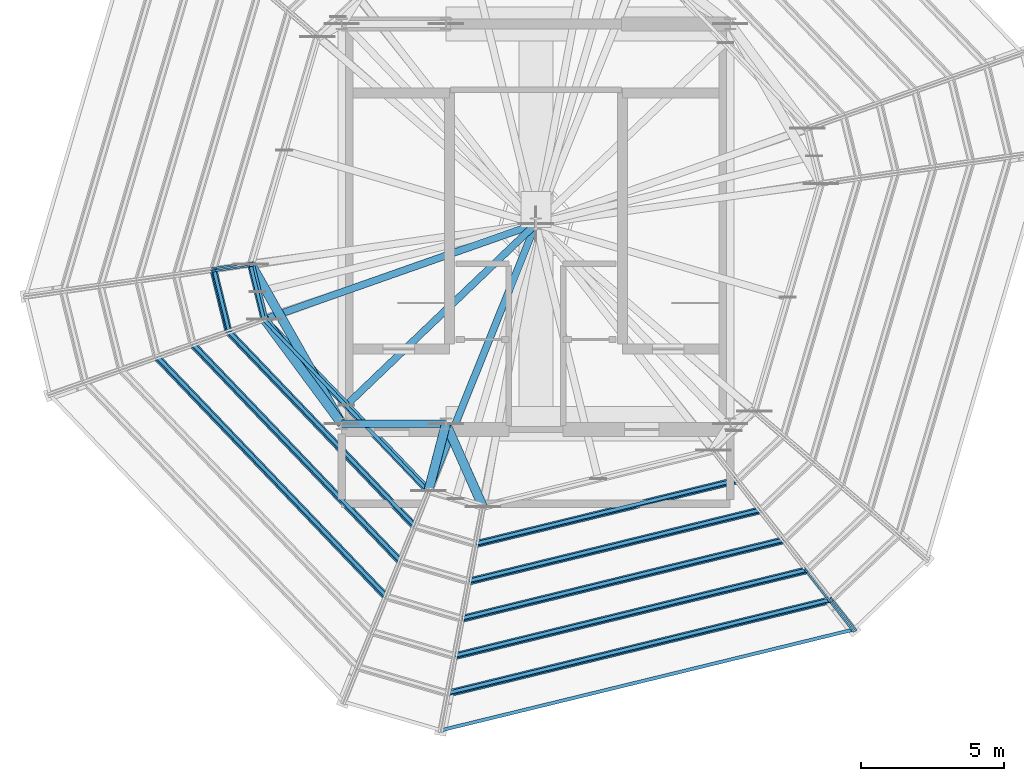
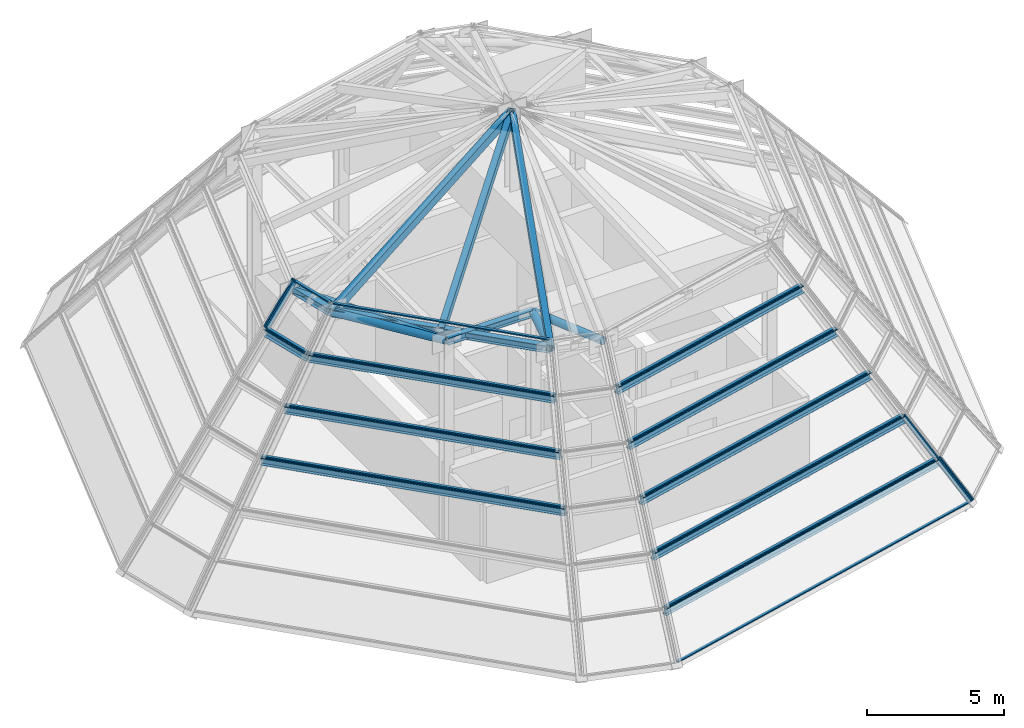
# One storey, part 3 of 13: 33 members, 12 beams, 14 elements without a shape of their own.
"""IFC4 building model written with IfcOpenShell, lengths in metres."""

from ifc_helpers import new_model, si_unit, direction, frame, origin, origin_2d, place, context, subcontext, project, spatial, hollow_rectangle, hollow_circle, i_section, extrude, source, transform, mapped, material, layer, layer_set, material_profile, profile_set, type_object, element, aggregate, save


model = new_model("IFC4")

# Units and contexts
model_context = context("Model", 3, precision=1e-05, world=origin(), true_north=direction((0.0, 1.0)))
body_context = subcontext(model_context, "Body", "Model", "MODEL_VIEW")
ifc_project = project(units=[si_unit("LENGTHUNIT", "METRE"), si_unit("AREAUNIT", "SQUARE_METRE"), si_unit("VOLUMEUNIT", "CUBIC_METRE"), si_unit("PLANEANGLEUNIT", "RADIAN"), si_unit("MASSUNIT", "GRAM", prefix="KILO")], contexts=[model_context])

# Site, building, storey
site_placement = place(None, origin())
site = spatial("IfcSite", under=ifc_project, at=site_placement, CompositionType="ELEMENT")
building_placement = place(site_placement, origin())
building = spatial("IfcBuilding", under=site, at=building_placement, Name="Veraguas Prism Commons", CompositionType="ELEMENT")
storey_placement = place(building_placement, frame((0.0, 0.0, 268.89990234375)))
storey = spatial("IfcBuildingStorey", under=building, at=storey_placement, Name="RF", CompositionType="ELEMENT", Elevation=268.89990234375)

# Members
ifc_material_1 = material(Name="Steel ASTM A500 Grade C", Category="steel")
ifc_material_profile_1 = material_profile(ifc_material_1, hollow_circle(Radius=0.162109375, WallThickness=0.01611328125, at=origin_2d()), Name="CHS324X16")
ifc_profile_set_1 = profile_set([ifc_material_profile_1], Name="Steel ASTM A500 Grade C")
member_type_1 = type_object("IfcMemberType", Name="Crown Apex Collar Strut CHS 324x16", PredefinedType="STRUT", material=ifc_profile_set_1)
member_1_placement = place(storey_placement, frame((14.024169921875, 22.58740234375, 9.067138671875), z_axis=(0.49414123824, -0.869381640403, 0.0), x_axis=(0.869381640403, 0.49414123824, 0.0)))
element("IfcMember", 1, at=member_1_placement, inside=storey, type_object=member_type_1, Name="Crown Apex Collar Strut 07", PredefinedType="STRUT", context=body_context, shape_type="SweptSolid", body=[
    extrude(hollow_circle(Radius=0.162109375, WallThickness=0.01611328125, at=origin_2d()), origin(), (0.0, 0.0, 1.0), 6.4267578125),
])
member_2_placement = place(storey_placement, frame((14.49560546875, 20.656494140625, 9.067138671875), z_axis=(0.59463555579, -0.803995370503, 0.0), x_axis=(0.803995370503, 0.59463555579, 0.0)))
element("IfcMember", 2, at=member_2_placement, inside=storey, type_object=member_type_1, Name="Crown Apex Collar Strut 08", PredefinedType="STRUT", context=body_context, shape_type="SweptSolid", body=[
    extrude(hollow_circle(Radius=0.162109375, WallThickness=0.01611328125, at=origin_2d()), origin(), (0.0, 0.0, 1.0), 4.5478515625),
])
member_3_placement = place(storey_placement, frame((20.2353515625, 14.654296875, 9.067138671875), z_axis=(0.253511930719, 0.967332259869, 0.0), x_axis=(-0.967332259869, 0.253511930719, 0.0)))
element("IfcMember", 3, at=member_3_placement, inside=storey, type_object=member_type_1, Name="Crown Apex Collar Strut 09", PredefinedType="STRUT", context=body_context, shape_type="SweptSolid", body=[
    extrude(hollow_circle(Radius=0.162109375, WallThickness=0.01611328125, at=origin_2d()), origin(), (0.0, 0.0, 1.0), 2.4248046875),
])
member_4_placement = place(storey_placement, frame((22.143310546875, 14.09716796875, 9.067138671875), z_axis=(-0.406943786249, 0.913453203417, 0.0), x_axis=(-0.913453203417, -0.406943786249, 0.0)))
element("IfcMember", 4, at=member_4_placement, inside=storey, type_object=member_type_1, Name="Crown Apex Collar Strut 10", PredefinedType="STRUT", context=body_context, shape_type="SweptSolid", body=[
    extrude(hollow_circle(Radius=0.162109375, WallThickness=0.01611328125, at=origin_2d()), origin(), (0.0, 0.0, 1.0), 3.177978515625),
])

# Beams
ifc_material_2 = material(Name="Steel ASTM A992 Grade 50", Category="steel")
ifc_material_profile_2 = material_profile(ifc_material_2, i_section(OverallWidth=0.25390625, OverallDepth=0.305908203125, WebThickness=0.0087890625, FlangeThickness=0.0146484375, at=origin_2d()), Name="W310X79")
ifc_profile_set_2 = profile_set([ifc_material_profile_2], Name="Steel ASTM A992 Grade 50")
beam_type = type_object("IfcBeamType", Name="Crown Ring Spandrel W310x79", PredefinedType="SPANDREL", material=ifc_profile_set_2)
beam_1_placement = place(storey_placement, frame((17.199951171875, 17.0, 9.067138671875), z_axis=(1.0, 0.0, 0.0), x_axis=(0.0, 1.0, 0.0)))
element("IfcBeam", 5, at=beam_1_placement, inside=storey, type_object=beam_type, Name="Crown Apex Ring Beam 1", PredefinedType="SPANDREL", context=body_context, shape_type="SweptSolid", body=[
    extrude(i_section(OverallWidth=0.25390625, OverallDepth=0.305908203125, WebThickness=0.0087890625, FlangeThickness=0.0146484375, at=origin_2d()), origin(), (0.0, 0.0, 1.0), 3.650146484375),
])
beam_2_placement = place(storey_placement, frame((12.70654296875, 22.40087890625, 7.763916015625), z_axis=(0.2371959725, -0.971461821499, 0.0), x_axis=(0.971461821499, 0.2371959725, 0.0)))
element("IfcBeam", 6, at=beam_2_placement, inside=storey, type_object=beam_type, Name="Crown Facet Ring Beam T5-V07", PredefinedType="SPANDREL", context=body_context, shape_type="SweptSolid", body=[
    extrude(i_section(OverallWidth=0.25390625, OverallDepth=0.305908203125, WebThickness=0.0087890625, FlangeThickness=0.0146484375, at=origin_2d()), origin(), (0.0, 0.0, 1.0), 2.25),
])
beam_3_placement = place(storey_placement, frame((14.024169921875, 22.58740234375, 9.067138671875), z_axis=(0.237185213056, -0.971464448504, 0.0), x_axis=(0.971464448504, 0.237185213056, 0.0)))
element("IfcBeam", 7, at=beam_3_placement, inside=storey, type_object=beam_type, Name="Crown Facet Ring Beam T6-V07", PredefinedType="SPANDREL", context=body_context, shape_type="SweptSolid", body=[
    extrude(i_section(OverallWidth=0.25390625, OverallDepth=0.305908203125, WebThickness=0.0087890625, FlangeThickness=0.0146484375, at=origin_2d()), origin(), (0.0, 0.0, 1.0), 1.987548828125),
])
beam_4_placement = place(storey_placement, frame((10.7294921875, 19.331787109375, 4.59716796875), z_axis=(0.691150459217, -0.72271089844, 0.0), x_axis=(0.72271089844, 0.691150459217, 0.0)))
element("IfcBeam", 8, at=beam_4_placement, inside=storey, type_object=beam_type, Name="Crown Facet Ring Beam T3-V08", PredefinedType="SPANDREL", context=body_context, shape_type="SweptSolid", body=[
    extrude(i_section(OverallWidth=0.25390625, OverallDepth=0.305908203125, WebThickness=0.0087890625, FlangeThickness=0.0146484375, at=origin_2d()), origin(), (0.0, 0.0, 1.0), 11.595703125),
])
beam_5_placement = place(storey_placement, frame((11.98486328125, 19.7734375, 6.180419921875), z_axis=(0.691140803875, -0.722720132015, 0.0), x_axis=(0.722720132015, 0.691140803875, 0.0)))
element("IfcBeam", 9, at=beam_5_placement, inside=storey, type_object=beam_type, Name="Crown Facet Ring Beam T4-V08", PredefinedType="SPANDREL", context=body_context, shape_type="SweptSolid", body=[
    extrude(i_section(OverallWidth=0.25390625, OverallDepth=0.305908203125, WebThickness=0.0087890625, FlangeThickness=0.0146484375, at=origin_2d()), origin(), (0.0, 0.0, 1.0), 10.498779296875),
])
beam_6_placement = place(storey_placement, frame((13.240234375, 20.215087890625, 7.763916015625), z_axis=(0.69112948824, -0.722730953042, 0.0), x_axis=(0.722730953042, 0.69112948824, 0.0)))
element("IfcBeam", 10, at=beam_6_placement, inside=storey, type_object=beam_type, Name="Crown Facet Ring Beam T5-V08", PredefinedType="SPANDREL", context=body_context, shape_type="SweptSolid", body=[
    extrude(i_section(OverallWidth=0.25390625, OverallDepth=0.305908203125, WebThickness=0.0087890625, FlangeThickness=0.0146484375, at=origin_2d()), origin(), (0.0, 0.0, 1.0), 9.402099609375),
])
beam_7_placement = place(storey_placement, frame((14.49560546875, 20.656494140625, 9.067138671875), z_axis=(0.691129195841, -0.722731232656, 0.0), x_axis=(0.722731232656, 0.691129195841, 0.0)))
element("IfcBeam", 11, at=beam_7_placement, inside=storey, type_object=beam_type, Name="Crown Facet Ring Beam T6-V08", PredefinedType="SPANDREL", context=body_context, shape_type="SweptSolid", body=[
    extrude(i_section(OverallWidth=0.25390625, OverallDepth=0.305908203125, WebThickness=0.0087890625, FlangeThickness=0.0146484375, at=origin_2d()), origin(), (0.0, 0.0, 1.0), 8.304931640625),
])
beam_8_placement = place(storey_placement, frame((20.9169921875, 7.5576171875, 1.430419921875), z_axis=(0.971467030569, 0.23717463717, 0.0), x_axis=(-0.23717463717, 0.971467030569, 0.0)))
element("IfcBeam", 12, at=beam_8_placement, inside=storey, type_object=beam_type, Name="Crown Facet Ring Beam T1-V10", PredefinedType="SPANDREL", context=body_context, shape_type="SweptSolid", body=[
    extrude(i_section(OverallWidth=0.25390625, OverallDepth=0.305908203125, WebThickness=0.0087890625, FlangeThickness=0.0146484375, at=origin_2d()), origin(), (0.0, 0.0, 1.0), 13.78955078125),
])
beam_9_placement = place(storey_placement, frame((21.162353515625, 8.865478515625, 3.013916015625), z_axis=(0.971464042785, 0.237186874796, 0.0), x_axis=(-0.237186874796, 0.971464042785, 0.0)))
element("IfcBeam", 13, at=beam_9_placement, inside=storey, type_object=beam_type, Name="Crown Facet Ring Beam T2-V10", PredefinedType="SPANDREL", context=body_context, shape_type="SweptSolid", body=[
    extrude(i_section(OverallWidth=0.25390625, OverallDepth=0.305908203125, WebThickness=0.0087890625, FlangeThickness=0.0146484375, at=origin_2d()), origin(), (0.0, 0.0, 1.0), 12.692626953125),
])
beam_10_placement = place(storey_placement, frame((21.407470703125, 10.17333984375, 4.59716796875), z_axis=(0.971466525392, 0.237176706368, 0.0), x_axis=(-0.237176706368, 0.971466525392, 0.0)))
element("IfcBeam", 14, at=beam_10_placement, inside=storey, type_object=beam_type, Name="Crown Facet Ring Beam T3-V10", PredefinedType="SPANDREL", context=body_context, shape_type="SweptSolid", body=[
    extrude(i_section(OverallWidth=0.25390625, OverallDepth=0.305908203125, WebThickness=0.0087890625, FlangeThickness=0.0146484375, at=origin_2d()), origin(), (0.0, 0.0, 1.0), 11.595703125),
])
beam_11_placement = place(storey_placement, frame((21.65283203125, 11.481201171875, 6.180419921875), z_axis=(0.971462860485, 0.237191717181, 0.0), x_axis=(-0.237191717181, 0.971462860485, 0.0)))
element("IfcBeam", 15, at=beam_11_placement, inside=storey, type_object=beam_type, Name="Crown Facet Ring Beam T4-V10", PredefinedType="SPANDREL", context=body_context, shape_type="SweptSolid", body=[
    extrude(i_section(OverallWidth=0.25390625, OverallDepth=0.305908203125, WebThickness=0.0087890625, FlangeThickness=0.0146484375, at=origin_2d()), origin(), (0.0, 0.0, 1.0), 10.498779296875),
])
beam_12_placement = place(storey_placement, frame((21.89794921875, 12.789306640625, 7.763916015625), z_axis=(0.971464323678, 0.237185724318, 0.0), x_axis=(-0.237185724318, 0.971464323678, 0.0)))
element("IfcBeam", 16, at=beam_12_placement, inside=storey, type_object=beam_type, Name="Crown Facet Ring Beam T5-V10", PredefinedType="SPANDREL", context=body_context, shape_type="SweptSolid", body=[
    extrude(i_section(OverallWidth=0.25390625, OverallDepth=0.305908203125, WebThickness=0.0087890625, FlangeThickness=0.0146484375, at=origin_2d()), origin(), (0.0, 0.0, 1.0), 9.40185546875),
])

# Members
ifc_material_profile_3 = material_profile(ifc_material_1, hollow_rectangle(XDim=0.25, YDim=0.35009765625, WallThickness=0.01611328125, at=origin_2d()), Name="HSS350X250X16")
ifc_profile_set_3 = profile_set([ifc_material_profile_3], Name="Steel ASTM A500 Grade C")
member_type_2 = type_object("IfcMemberType", Name="Glass Point Crown Rib HSS 350x250x16", PredefinedType="RAFTER", material=ifc_profile_set_3)
member_5_placement = place(storey_placement, frame((14.49560546875, 20.656494140625, 9.067138671875), z_axis=(0.888802847543, 0.312667736889, 0.335064746739), x_axis=(-0.33185030924, 0.943332058322, 0.0)))
element("IfcMember", 17, at=member_5_placement, inside=storey, type_object=member_type_2, Name="Crown Pyramidal Hip Rafter 08", PredefinedType="RAFTER", context=body_context, shape_type="SweptSolid", body=[
    extrude(hollow_rectangle(XDim=0.25, YDim=0.35009765625, WallThickness=0.01611328125, at=origin_2d()), origin(), (0.0, 0.0, 1.0), 10.693359375),
])
member_6_placement = place(storey_placement, frame((17.365478515625, 17.655517578125, 9.067138671875), z_axis=(0.673261399564, 0.643828665703, 0.363598318307), x_axis=(-0.69113266808, 0.722727912228, 0.0)))
element("IfcMember", 18, at=member_6_placement, inside=storey, type_object=member_type_2, Name="Crown Pyramidal Mid Rafter 08", PredefinedType="RAFTER", context=body_context, shape_type="SweptSolid", body=[
    extrude(hollow_rectangle(XDim=0.25, YDim=0.35009765625, WallThickness=0.01611328125, at=origin_2d()), origin(), (0.0, 0.0, 1.0), 9.854248046875),
])
member_7_placement = place(storey_placement, frame((20.2353515625, 14.654296875, 9.067138671875), z_axis=(0.352047474863, 0.873954431761, 0.33506152666), x_axis=(-0.927571545568, 0.37364559124, 0.0)))
element("IfcMember", 19, at=member_7_placement, inside=storey, type_object=member_type_2, Name="Crown Pyramidal Hip Rafter 09", PredefinedType="RAFTER", context=body_context, shape_type="SweptSolid", body=[
    extrude(hollow_rectangle(XDim=0.25, YDim=0.35009765625, WallThickness=0.01611328125, at=origin_2d()), origin(), (0.0, 0.0, 1.0), 10.693603515625),
])

# Curtain wall, member
ifc_material_3 = material(Name="Anodised aluminium EN AW-6063 T6", Category="aluminium")
ifc_layer = layer(ifc_material_3, 0.199951171875, Name="Faceted Glass Point Crown Curtain Wall", Category="aluminium")
ifc_layer_set = layer_set([ifc_layer], Name="Anodised aluminium EN AW-6063 T6")
curtain_wall_type = type_object("IfcCurtainWallType", Name="Faceted Glass Point Crown Curtain Wall", PredefinedType="NOTDEFINED", material=ifc_layer_set)
curtain_wall_1_placement = place(storey_placement, origin())
curtain_wall_1 = element("IfcCurtainWall", 20, at=curtain_wall_1_placement, inside=storey, type_object=curtain_wall_type, Name="Crown Glass-Point Facet T1-F10", PredefinedType="NOTDEFINED")
ifc_material_profile_4 = material_profile(ifc_material_3, hollow_rectangle(XDim=0.06494140625, YDim=0.199951171875, WallThickness=0.00390625, at=origin_2d()), Name="AL65X200X4")
ifc_profile_set_4 = profile_set([ifc_material_profile_4], Name="Anodised aluminium EN AW-6063 T6")
member_type_3 = type_object("IfcMemberType", Name="Curtain Wall Mullion Heavy AL 65x200x4", PredefinedType="MULLION", material=ifc_profile_set_4)
shared_shape_1 = source(origin(), body_context, "Body", "SweptSolid", [
    extrude(hollow_rectangle(XDim=0.06494140625, YDim=0.199951171875, WallThickness=0.00390625, at=origin_2d()), origin(), (0.0, 0.0, 1.0), 2.068359375),
])
member_8_placement = place(storey_placement, frame((35.08251953125, 9.76806640625, 0.0), z_axis=(-0.396612466542, 0.506507170813, 0.765603707736), x_axis=(-0.78734235213, -0.616516034294, 0.0)))
member_8 = element("IfcMember", 21, at=member_8_placement, type_object=member_type_3, Name="CW-CRN Mullion 2", PredefinedType="MULLION", context=body_context, shape_type="MappedRepresentation", body=[
    mapped(shared_shape_1, transform((0.0, 0.0, 0.0), scale=1.0)),
])

curtain_wall_2_placement = place(storey_placement, origin())
curtain_wall_2 = element("IfcCurtainWall", 22, at=curtain_wall_2_placement, inside=storey, type_object=curtain_wall_type, Name="Crown Glass-Point Facet T1-F11", PredefinedType="NOTDEFINED")
member_9_placement = place(storey_placement, frame((35.17138671875, 9.816650390625, 0.0), z_axis=(-0.396612466542, 0.506507170813, 0.765603707736), x_axis=(-0.78734235213, -0.616516034294, 0.0)))
member_9 = element("IfcMember", 23, at=member_9_placement, type_object=member_type_3, Name="CW-CRN Mullion 1", PredefinedType="MULLION", context=body_context, shape_type="MappedRepresentation", body=[
    mapped(shared_shape_1, transform((0.0, 0.0, 0.0), scale=1.0)),
])
aggregate(curtain_wall_2, [member_9])

curtain_wall_3_placement = place(storey_placement, origin())
curtain_wall_3 = element("IfcCurtainWall", 24, at=curtain_wall_3_placement, inside=storey, type_object=curtain_wall_type, Name="Crown Glass-Point Facet T2-F10", PredefinedType="NOTDEFINED")
member_10_placement = place(storey_placement, frame((34.26220703125, 10.815673828125, 1.58349609375), z_axis=(-0.396724057983, 0.506616976157, 0.765473227022), x_axis=(-0.787323032399, -0.616540706405, 0.0)))
member_10 = element("IfcMember", 25, at=member_10_placement, type_object=member_type_3, Name="CW-CRN Mullion 2", PredefinedType="MULLION", context=body_context, shape_type="MappedRepresentation", body=[
    mapped(shared_shape_1, transform((0.0, 0.0, 0.0), scale=1.0)),
])

curtain_wall_4_placement = place(storey_placement, origin())
curtain_wall_4 = element("IfcCurtainWall", 26, at=curtain_wall_4_placement, inside=storey, type_object=curtain_wall_type, Name="Crown Glass-Point Facet T6-F06", PredefinedType="NOTDEFINED")
member_11_placement = place(storey_placement, frame((12.72119140625, 22.451171875, 7.916748046875), z_axis=(0.637076292552, 0.090184600243, 0.765506718029), x_axis=(-0.140162712882, 0.99012848354, 0.0)))
member_11 = element("IfcMember", 27, at=member_11_placement, type_object=member_type_3, Name="CW-CRN Mullion 2", PredefinedType="MULLION", context=body_context, shape_type="MappedRepresentation", body=[
    mapped(shared_shape_1, transform((0.0, 0.0, 0.0), scale=1.0)),
])
aggregate(curtain_wall_4, [member_11])

curtain_wall_5_placement = place(storey_placement, origin())
curtain_wall_5 = element("IfcCurtainWall", 28, at=curtain_wall_5_placement, inside=storey, type_object=curtain_wall_type, Name="Crown Glass-Point Facet T6-F07", PredefinedType="NOTDEFINED")
member_12_placement = place(storey_placement, frame((12.718994140625, 22.349853515625, 7.916748046875), z_axis=(0.637076292552, 0.090184600243, 0.765506718029), x_axis=(-0.140162712882, 0.99012848354, 0.0)))
member_12 = element("IfcMember", 29, at=member_12_placement, type_object=member_type_3, Name="CW-CRN Mullion 1", PredefinedType="MULLION", context=body_context, shape_type="MappedRepresentation", body=[
    mapped(shared_shape_1, transform((0.0, 0.0, 0.0), scale=1.0)),
])

# Member
ifc_material_profile_5 = material_profile(ifc_material_3, hollow_rectangle(XDim=0.050048828125, YDim=0.1201171875, WallThickness=0.0029296875, at=origin_2d()), Name="AL50X120X3")
ifc_profile_set_5 = profile_set([ifc_material_profile_5], Name="Anodised aluminium EN AW-6063 T6")
member_type_4 = type_object("IfcMemberType", Name="Curtain Wall Transom Crown AL 50x120x3", PredefinedType="USERDEFINED", material=ifc_profile_set_5)
shared_shape_2 = source(origin(), body_context, "Body", "SweptSolid", [
    extrude(hollow_rectangle(XDim=0.050048828125, YDim=0.1201171875, WallThickness=0.0029296875, at=origin_2d()), origin(), (0.0, 0.0, 1.0), 13.701904296875),
])
member_13_placement = place(storey_placement, frame((20.964111328125, 7.54931640625, 1.558349609375), z_axis=(0.971467190834, 0.237173980727, 0.0), x_axis=(0.0, 0.0, 1.0)))
member_13 = element("IfcMember", 30, at=member_13_placement, type_object=member_type_4, Name="CW-CRN Transom 2", ObjectType="TRANSOM", PredefinedType="USERDEFINED", context=body_context, shape_type="MappedRepresentation", body=[
    mapped(shared_shape_2, transform((0.0, 0.0, 0.0), scale=1.0)),
])

shared_shape_3 = source(origin(), body_context, "Body", "SweptSolid", [
    extrude(hollow_rectangle(XDim=0.050048828125, YDim=0.1201171875, WallThickness=0.0029296875, at=origin_2d()), origin(), (0.0, 0.0, 1.0), 14.764404296875),
])
member_14_placement = place(storey_placement, frame((20.7265625, 6.28271484375, 0.025146484375), z_axis=(0.971467113477, 0.237174297581, 0.0), x_axis=(0.0, 0.0, 1.0)))
member_14 = element("IfcMember", 31, at=member_14_placement, type_object=member_type_4, Name="CW-CRN Transom 1", ObjectType="TRANSOM", PredefinedType="USERDEFINED", context=body_context, shape_type="MappedRepresentation", body=[
    mapped(shared_shape_3, transform((0.0, 0.0, 0.0), scale=1.0)),
])

aggregate(curtain_wall_1, [member_8, member_14, member_13])

shared_shape_4 = source(origin(), body_context, "Body", "SweptSolid", [
    extrude(hollow_rectangle(XDim=0.050048828125, YDim=0.1201171875, WallThickness=0.0029296875, at=origin_2d()), origin(), (0.0, 0.0, 1.0), 13.667236328125),
])
member_15_placement = place(storey_placement, frame((20.971923828125, 7.590576171875, 1.6083984375), z_axis=(0.971464345462, 0.237185635096, 0.0), x_axis=(0.0, 0.0, 1.0)))
member_15 = element("IfcMember", 32, at=member_15_placement, type_object=member_type_4, Name="CW-CRN Transom 1", ObjectType="TRANSOM", PredefinedType="USERDEFINED", context=body_context, shape_type="MappedRepresentation", body=[
    mapped(shared_shape_4, transform((0.0, 0.0, 0.0), scale=1.0)),
])

shared_shape_5 = source(origin(), body_context, "Body", "SweptSolid", [
    extrude(hollow_rectangle(XDim=0.050048828125, YDim=0.1201171875, WallThickness=0.0029296875, at=origin_2d()), origin(), (0.0, 0.0, 1.0), 12.604736328125),
])
member_16_placement = place(storey_placement, frame((21.20947265625, 8.857177734375, 3.141845703125), z_axis=(0.971463106625, 0.237190709062, 0.0), x_axis=(0.0, 0.0, 1.0)))
member_16 = element("IfcMember", 33, at=member_16_placement, type_object=member_type_4, Name="CW-CRN Transom 2", ObjectType="TRANSOM", PredefinedType="USERDEFINED", context=body_context, shape_type="MappedRepresentation", body=[
    mapped(shared_shape_5, transform((0.0, 0.0, 0.0), scale=1.0)),
])

aggregate(curtain_wall_3, [member_10, member_15, member_16])

# Curtain wall, member
curtain_wall_6_placement = place(storey_placement, origin())
curtain_wall_6 = element("IfcCurtainWall", 34, at=curtain_wall_6_placement, inside=storey, type_object=curtain_wall_type, Name="Crown Glass-Point Facet T3-F08", PredefinedType="NOTDEFINED")
shared_shape_6 = source(origin(), body_context, "Body", "SweptSolid", [
    extrude(hollow_rectangle(XDim=0.050048828125, YDim=0.1201171875, WallThickness=0.0029296875, at=origin_2d()), origin(), (0.0, 0.0, 1.0), 11.508056640625),
])
member_17_placement = place(storey_placement, frame((10.74609375, 19.286865234375, 4.72509765625), z_axis=(0.691135938825, -0.722724784454, 0.0), x_axis=(0.0, 0.0, 1.0)))
member_17 = element("IfcMember", 35, at=member_17_placement, type_object=member_type_4, Name="CW-CRN Transom 2", ObjectType="TRANSOM", PredefinedType="USERDEFINED", context=body_context, shape_type="MappedRepresentation", body=[
    mapped(shared_shape_6, transform((0.0, 0.0, 0.0), scale=1.0)),
])
aggregate(curtain_wall_6, [member_17])

# Curtain wall, members
curtain_wall_7_placement = place(storey_placement, origin())
curtain_wall_7 = element("IfcCurtainWall", 36, at=curtain_wall_7_placement, inside=storey, type_object=curtain_wall_type, Name="Crown Glass-Point Facet T3-F10", PredefinedType="NOTDEFINED")
member_18_placement = place(storey_placement, frame((21.45458984375, 10.1650390625, 4.72509765625), z_axis=(0.97146063064, 0.237200849738, 0.0), x_axis=(0.0, 0.0, 1.0)))
member_18 = element("IfcMember", 37, at=member_18_placement, type_object=member_type_4, Name="CW-CRN Transom 2", ObjectType="TRANSOM", PredefinedType="USERDEFINED", context=body_context, shape_type="MappedRepresentation", body=[
    mapped(shared_shape_6, transform((0.0, 0.0, 0.0), scale=1.0)),
])
shared_shape_7 = source(origin(), body_context, "Body", "SweptSolid", [
    extrude(hollow_rectangle(XDim=0.050048828125, YDim=0.1201171875, WallThickness=0.0029296875, at=origin_2d()), origin(), (0.0, 0.0, 1.0), 12.5703125),
])
member_19_placement = place(storey_placement, frame((21.217041015625, 8.898681640625, 3.19189453125), z_axis=(0.971465569401, 0.237180622034, 0.0), x_axis=(0.0, 0.0, 1.0)))
member_19 = element("IfcMember", 38, at=member_19_placement, type_object=member_type_4, Name="CW-CRN Transom 1", ObjectType="TRANSOM", PredefinedType="USERDEFINED", context=body_context, shape_type="MappedRepresentation", body=[
    mapped(shared_shape_7, transform((0.0, 0.0, 0.0), scale=1.0)),
])
aggregate(curtain_wall_7, [member_19, member_18])

# Curtain wall, member
curtain_wall_8_placement = place(storey_placement, origin())
curtain_wall_8 = element("IfcCurtainWall", 39, at=curtain_wall_8_placement, inside=storey, type_object=curtain_wall_type, Name="Crown Glass-Point Facet T4-F08", PredefinedType="NOTDEFINED")
shared_shape_8 = source(origin(), body_context, "Body", "SweptSolid", [
    extrude(hollow_rectangle(XDim=0.050048828125, YDim=0.1201171875, WallThickness=0.0029296875, at=origin_2d()), origin(), (0.0, 0.0, 1.0), 11.473388671875),
])
member_20_placement = place(storey_placement, frame((10.78564453125, 19.30078125, 4.775146484375), z_axis=(0.691141474773, -0.722719490431, 0.0), x_axis=(0.0, 0.0, 1.0)))
member_20 = element("IfcMember", 40, at=member_20_placement, type_object=member_type_4, Name="CW-CRN Transom 1", ObjectType="TRANSOM", PredefinedType="USERDEFINED", context=body_context, shape_type="MappedRepresentation", body=[
    mapped(shared_shape_8, transform((0.0, 0.0, 0.0), scale=1.0)),
])

curtain_wall_9_placement = place(storey_placement, origin())
curtain_wall_9 = element("IfcCurtainWall", 41, at=curtain_wall_9_placement, inside=storey, type_object=curtain_wall_type, Name="Crown Glass-Point Facet T4-F10", PredefinedType="NOTDEFINED")
member_21_placement = place(storey_placement, frame((21.46240234375, 10.20654296875, 4.775146484375), z_axis=(0.971467027353, 0.237174650345, 0.0), x_axis=(0.0, 0.0, 1.0)))
member_21 = element("IfcMember", 42, at=member_21_placement, type_object=member_type_4, Name="CW-CRN Transom 1", ObjectType="TRANSOM", PredefinedType="USERDEFINED", context=body_context, shape_type="MappedRepresentation", body=[
    mapped(shared_shape_8, transform((0.0, 0.0, 0.0), scale=1.0)),
])

# Member
shared_shape_9 = source(origin(), body_context, "Body", "SweptSolid", [
    extrude(hollow_rectangle(XDim=0.050048828125, YDim=0.1201171875, WallThickness=0.0029296875, at=origin_2d()), origin(), (0.0, 0.0, 1.0), 10.4111328125),
])
member_22_placement = place(storey_placement, frame((12.001220703125, 19.728515625, 6.308349609375), z_axis=(0.691136920738, -0.722723845457, 0.0), x_axis=(0.0, 0.0, 1.0)))
member_22 = element("IfcMember", 43, at=member_22_placement, type_object=member_type_4, Name="CW-CRN Transom 2", ObjectType="TRANSOM", PredefinedType="USERDEFINED", context=body_context, shape_type="MappedRepresentation", body=[
    mapped(shared_shape_9, transform((0.0, 0.0, 0.0), scale=1.0)),
])

aggregate(curtain_wall_8, [member_20, member_22])

member_23_placement = place(storey_placement, frame((21.699951171875, 11.47314453125, 6.308349609375), z_axis=(0.971467120374, 0.237174269328, 0.0), x_axis=(0.0, 0.0, 1.0)))
member_23 = element("IfcMember", 44, at=member_23_placement, type_object=member_type_4, Name="CW-CRN Transom 2", ObjectType="TRANSOM", PredefinedType="USERDEFINED", context=body_context, shape_type="MappedRepresentation", body=[
    mapped(shared_shape_9, transform((0.0, 0.0, 0.0), scale=1.0)),
])

aggregate(curtain_wall_9, [member_21, member_23])

# Curtain wall, member
curtain_wall_10_placement = place(storey_placement, origin())
curtain_wall_10 = element("IfcCurtainWall", 45, at=curtain_wall_10_placement, inside=storey, type_object=curtain_wall_type, Name="Crown Glass-Point Facet T5-F07", PredefinedType="NOTDEFINED")
shared_shape_10 = source(origin(), body_context, "Body", "SweptSolid", [
    extrude(hollow_rectangle(XDim=0.050048828125, YDim=0.1201171875, WallThickness=0.0029296875, at=origin_2d()), origin(), (0.0, 0.0, 1.0), 2.149169921875),
])
member_24_placement = place(storey_placement, frame((12.6982421875, 22.346923828125, 7.891845703125), z_axis=(0.237186297436, -0.97146418375, 0.0), x_axis=(0.0, 0.0, 1.0)))
member_24 = element("IfcMember", 46, at=member_24_placement, type_object=member_type_4, Name="CW-CRN Transom 2", ObjectType="TRANSOM", PredefinedType="USERDEFINED", context=body_context, shape_type="MappedRepresentation", body=[
    mapped(shared_shape_10, transform((0.0, 0.0, 0.0), scale=1.0)),
])
aggregate(curtain_wall_10, [member_24])

curtain_wall_11_placement = place(storey_placement, origin())
curtain_wall_11 = element("IfcCurtainWall", 47, at=curtain_wall_11_placement, inside=storey, type_object=curtain_wall_type, Name="Crown Glass-Point Facet T5-F08", PredefinedType="NOTDEFINED")
shared_shape_11 = source(origin(), body_context, "Body", "SweptSolid", [
    extrude(hollow_rectangle(XDim=0.050048828125, YDim=0.1201171875, WallThickness=0.0029296875, at=origin_2d()), origin(), (0.0, 0.0, 1.0), 10.37646484375),
])
member_25_placement = place(storey_placement, frame((12.041015625, 19.742431640625, 6.3583984375), z_axis=(0.691143045136, -0.722717988679, 0.0), x_axis=(0.0, 0.0, 1.0)))
member_25 = element("IfcMember", 48, at=member_25_placement, type_object=member_type_4, Name="CW-CRN Transom 1", ObjectType="TRANSOM", PredefinedType="USERDEFINED", context=body_context, shape_type="MappedRepresentation", body=[
    mapped(shared_shape_11, transform((0.0, 0.0, 0.0), scale=1.0)),
])

curtain_wall_12_placement = place(storey_placement, origin())
curtain_wall_12 = element("IfcCurtainWall", 49, at=curtain_wall_12_placement, inside=storey, type_object=curtain_wall_type, Name="Crown Glass-Point Facet T5-F10", PredefinedType="NOTDEFINED")
member_26_placement = place(storey_placement, frame((21.707763671875, 11.514404296875, 6.3583984375), z_axis=(0.971463372315, 0.237189620875, 0.0), x_axis=(0.0, 0.0, 1.0)))
member_26 = element("IfcMember", 50, at=member_26_placement, type_object=member_type_4, Name="CW-CRN Transom 1", ObjectType="TRANSOM", PredefinedType="USERDEFINED", context=body_context, shape_type="MappedRepresentation", body=[
    mapped(shared_shape_11, transform((0.0, 0.0, 0.0), scale=1.0)),
])

# Member
shared_shape_12 = source(origin(), body_context, "Body", "SweptSolid", [
    extrude(hollow_rectangle(XDim=0.050048828125, YDim=0.1201171875, WallThickness=0.0029296875, at=origin_2d()), origin(), (0.0, 0.0, 1.0), 9.314208984375),
])
member_27_placement = place(storey_placement, frame((13.256591796875, 20.169921875, 7.891845703125), z_axis=(0.691151226591, -0.722710164577, 0.0), x_axis=(0.0, 0.0, 1.0)))
member_27 = element("IfcMember", 51, at=member_27_placement, type_object=member_type_4, Name="CW-CRN Transom 2", ObjectType="TRANSOM", PredefinedType="USERDEFINED", context=body_context, shape_type="MappedRepresentation", body=[
    mapped(shared_shape_12, transform((0.0, 0.0, 0.0), scale=1.0)),
])

aggregate(curtain_wall_11, [member_25, member_27])

shared_shape_13 = source(origin(), body_context, "Body", "SweptSolid", [
    extrude(hollow_rectangle(XDim=0.050048828125, YDim=0.1201171875, WallThickness=0.0029296875, at=origin_2d()), origin(), (0.0, 0.0, 1.0), 9.314453125),
])
member_28_placement = place(storey_placement, frame((21.945068359375, 12.781005859375, 7.891845703125), z_axis=(0.97146453403, 0.237184862759, 0.0), x_axis=(0.0, 0.0, 1.0)))
member_28 = element("IfcMember", 52, at=member_28_placement, type_object=member_type_4, Name="CW-CRN Transom 2", ObjectType="TRANSOM", PredefinedType="USERDEFINED", context=body_context, shape_type="MappedRepresentation", body=[
    mapped(shared_shape_13, transform((0.0, 0.0, 0.0), scale=1.0)),
])

aggregate(curtain_wall_12, [member_26, member_28])

shared_shape_14 = source(origin(), body_context, "Body", "SweptSolid", [
    extrude(hollow_rectangle(XDim=0.050048828125, YDim=0.1201171875, WallThickness=0.0029296875, at=origin_2d()), origin(), (0.0, 0.0, 1.0), 2.140869140625),
])
member_29_placement = place(storey_placement, frame((12.73974609375, 22.352783203125, 7.94189453125), z_axis=(0.237192438489, -0.97146268437, 0.0), x_axis=(0.0, 0.0, 1.0)))
member_29 = element("IfcMember", 53, at=member_29_placement, type_object=member_type_4, Name="CW-CRN Transom 1", ObjectType="TRANSOM", PredefinedType="USERDEFINED", context=body_context, shape_type="MappedRepresentation", body=[
    mapped(shared_shape_14, transform((0.0, 0.0, 0.0), scale=1.0)),
])

shared_shape_15 = source(origin(), body_context, "Body", "SweptSolid", [
    extrude(hollow_rectangle(XDim=0.050048828125, YDim=0.1201171875, WallThickness=0.0029296875, at=origin_2d()), origin(), (0.0, 0.0, 1.0), 1.88671875),
])
member_30_placement = place(storey_placement, frame((14.015625, 22.533447265625, 9.47509765625), z_axis=(0.237325554476, -0.971430173092, 0.0), x_axis=(0.0, 0.0, 1.0)))
member_30 = element("IfcMember", 54, at=member_30_placement, type_object=member_type_4, Name="CW-CRN Transom 2", ObjectType="TRANSOM", PredefinedType="USERDEFINED", context=body_context, shape_type="MappedRepresentation", body=[
    mapped(shared_shape_15, transform((0.0, 0.0, 0.0), scale=1.0)),
])

aggregate(curtain_wall_5, [member_12, member_29, member_30])

# Curtain wall, members
curtain_wall_13_placement = place(storey_placement, origin())
curtain_wall_13 = element("IfcCurtainWall", 55, at=curtain_wall_13_placement, inside=storey, type_object=curtain_wall_type, Name="Crown Glass-Point Facet T6-F08", PredefinedType="NOTDEFINED")
shared_shape_16 = source(origin(), body_context, "Body", "SweptSolid", [
    extrude(hollow_rectangle(XDim=0.050048828125, YDim=0.1201171875, WallThickness=0.0029296875, at=origin_2d()), origin(), (0.0, 0.0, 1.0), 9.279541015625),
])
member_31_placement = place(storey_placement, frame((13.29638671875, 20.18408203125, 7.94189453125), z_axis=(0.691131244519, -0.722729273552, 0.0), x_axis=(0.0, 0.0, 1.0)))
member_31 = element("IfcMember", 56, at=member_31_placement, type_object=member_type_4, Name="CW-CRN Transom 1", ObjectType="TRANSOM", PredefinedType="USERDEFINED", context=body_context, shape_type="MappedRepresentation", body=[
    mapped(shared_shape_16, transform((0.0, 0.0, 0.0), scale=1.0)),
])
shared_shape_17 = source(origin(), body_context, "Body", "SweptSolid", [
    extrude(hollow_rectangle(XDim=0.050048828125, YDim=0.1201171875, WallThickness=0.0029296875, at=origin_2d()), origin(), (0.0, 0.0, 1.0), 8.21728515625),
])
member_32_placement = place(storey_placement, frame((14.511962890625, 20.611572265625, 9.47509765625), z_axis=(0.691154511201, -0.722707023383, 0.0), x_axis=(0.0, 0.0, 1.0)))
member_32 = element("IfcMember", 57, at=member_32_placement, type_object=member_type_4, Name="CW-CRN Transom 2", ObjectType="TRANSOM", PredefinedType="USERDEFINED", context=body_context, shape_type="MappedRepresentation", body=[
    mapped(shared_shape_17, transform((0.0, 0.0, 0.0), scale=1.0)),
])
aggregate(curtain_wall_13, [member_31, member_32])

# Curtain wall, member
curtain_wall_14_placement = place(storey_placement, origin())
curtain_wall_14 = element("IfcCurtainWall", 58, at=curtain_wall_14_placement, inside=storey, type_object=curtain_wall_type, Name="Crown Glass-Point Facet T6-F10", PredefinedType="NOTDEFINED")
shared_shape_18 = source(origin(), body_context, "Body", "SweptSolid", [
    extrude(hollow_rectangle(XDim=0.050048828125, YDim=0.1201171875, WallThickness=0.0029296875, at=origin_2d()), origin(), (0.0, 0.0, 1.0), 9.27978515625),
])
member_33_placement = place(storey_placement, frame((21.952880859375, 12.822265625, 7.94189453125), z_axis=(0.971460333158, 0.237202068077, 0.0), x_axis=(0.0, 0.0, 1.0)))
member_33 = element("IfcMember", 59, at=member_33_placement, type_object=member_type_4, Name="CW-CRN Transom 1", ObjectType="TRANSOM", PredefinedType="USERDEFINED", context=body_context, shape_type="MappedRepresentation", body=[
    mapped(shared_shape_18, transform((0.0, 0.0, 0.0), scale=1.0)),
])
aggregate(curtain_wall_14, [member_33])

save(model, "model.ifc")
